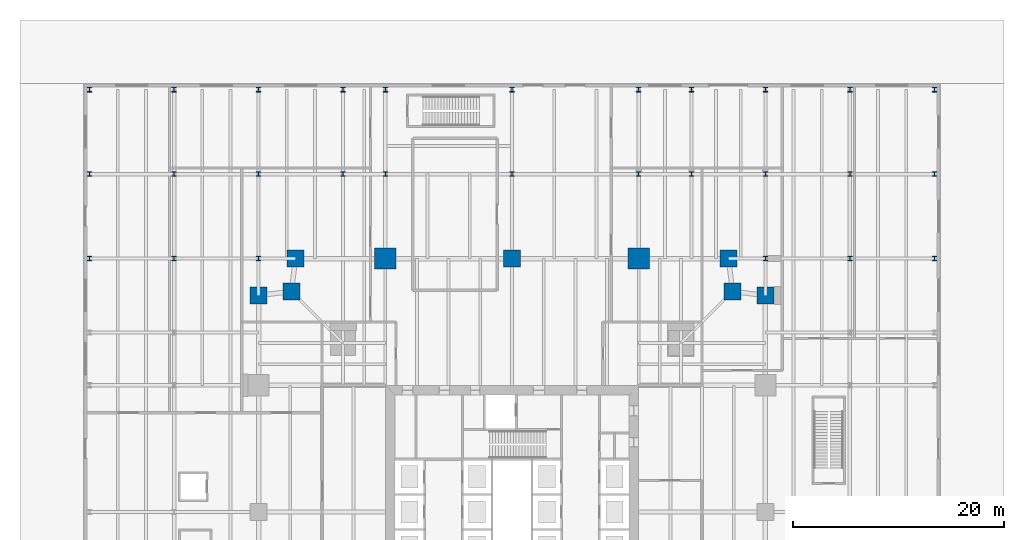
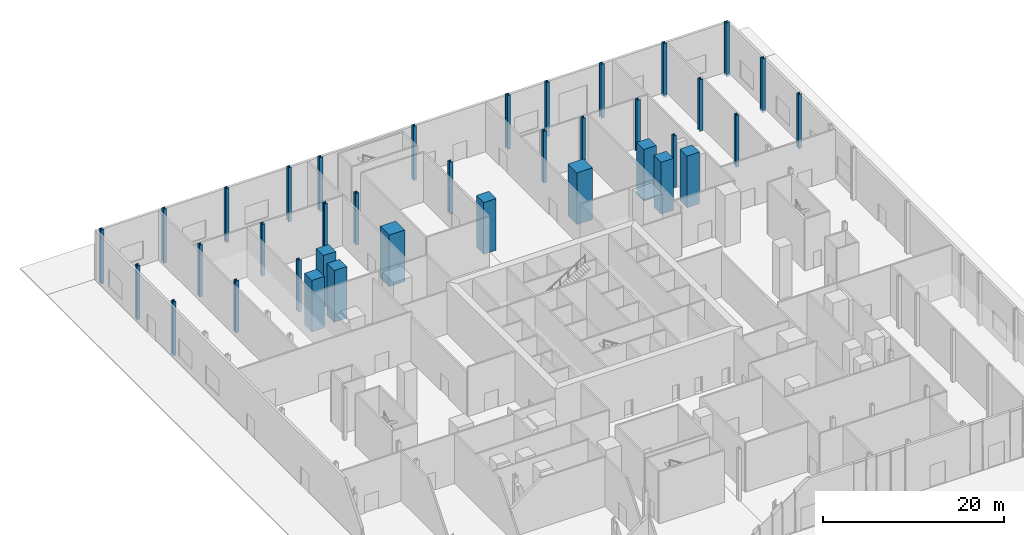
# One storey, part 3 of 20: 37 columns.
"""IFC4 building model written with IfcOpenShell, lengths in metres."""

from ifc_helpers import new_model, si_unit, direction, frame, origin, origin_2d, place, context, subcontext, project, spatial, rectangle, i_section, extrude, material, material_profile, profile_set, type_object, element, save


model = new_model("IFC4")

# Units and contexts
model_context = context("Model", 3, precision=1e-05, world=origin(), true_north=direction((0.0, 1.0)))
body_context = subcontext(model_context, "Body", "Model", "MODEL_VIEW")
ifc_project = project(units=[si_unit("LENGTHUNIT", "METRE"), si_unit("AREAUNIT", "SQUARE_METRE"), si_unit("VOLUMEUNIT", "CUBIC_METRE"), si_unit("PLANEANGLEUNIT", "RADIAN"), si_unit("MASSUNIT", "GRAM", prefix="KILO")], contexts=[model_context])

# Site, building, storey
site_placement = place(None, origin())
site = spatial("IfcSite", under=ifc_project, at=site_placement, CompositionType="ELEMENT")
building_placement = place(site_placement, origin())
building = spatial("IfcBuilding", under=site, at=building_placement, Name="Fenwick Lantern Interchange", CompositionType="ELEMENT")
storey_placement = place(building_placement, origin())
storey = spatial("IfcBuildingStorey", under=building, at=storey_placement, Name="L00", CompositionType="ELEMENT", Elevation=0.0)

# Columns
ifc_material_1 = material(Name="Concrete f'c 70 MPa", Category="concrete")
ifc_material_profile_1 = material_profile(ifc_material_1, rectangle(XDim=1.60009765625, YDim=1.60009765625, at=origin_2d()), Name="RC1600X1600")
ifc_profile_set_1 = profile_set([ifc_material_profile_1], Name="Concrete f'c 70 MPa")
column_type_1 = type_object("IfcColumnType", Name="PERIMETER COLUMN RC1600X1600", PredefinedType="COLUMN", material=ifc_profile_set_1)
for number, where, z_axis, x_axis, name in (
    (1, (49.0, 45.5, 0.0), (0.0, 0.0, 1.0), (1.0, 0.0, 0.0), "L00/CE5"),
    (2, (45.89990234375, 45.89990234375, 0.0), (0.0, 0.0, 1.0), (1.0, 0.0, 0.0), "L00/CER"),
    (3, (45.5, 49.0, 0.0), (0.0, 0.0, 1.0), (1.0, 0.0, 0.0), "L00/CN1"),
    (4, (25.0, 49.0, 0.0), (0.0, 0.0, 1.0), (1.0, 0.0, 0.0), "L00/CN3"),
    (5, (4.5, 49.0, 0.0), (0.0, 0.0, 1.0), (1.0, 0.0, 0.0), "L00/CN5"),
    (6, (4.10009765625, 45.89990234375, 0.0), (0.0, 0.0, 1.0), (1.0, 0.0, 0.0), "L00/CNR"),
    (7, (1.0, 45.5, 0.0), (0.0, 0.0, 1.0), (1.0, 0.0, 0.0), "L00/CW1"),
):
    element("IfcColumn", number, at=place(storey_placement, frame(where, z_axis=z_axis, x_axis=x_axis)), inside=storey, type_object=column_type_1, Name=name, PredefinedType="COLUMN", context=body_context, shape_type="SweptSolid", body=[
        extrude(rectangle(XDim=1.60009765625, YDim=1.60009765625, at=origin_2d()), origin(), (0.0, 0.0, 1.0), 7.0),
    ])
ifc_material_profile_2 = material_profile(ifc_material_1, rectangle(XDim=2.0, YDim=2.0, at=origin_2d()), Name="RC2000X2000")
ifc_profile_set_2 = profile_set([ifc_material_profile_2], Name="Concrete f'c 70 MPa")
column_type_2 = type_object("IfcColumnType", Name="PERIMETER COLUMN RC2000X2000", PredefinedType="COLUMN", material=ifc_profile_set_2)
for number, where, z_axis, x_axis, name in (
    (8, (37.0, 49.0, 0.0), (0.0, 0.0, 1.0), (1.0, 0.0, 0.0), "L00/CN2"),
    (9, (13.0, 49.0, 0.0), (0.0, 0.0, 1.0), (1.0, 0.0, 0.0), "L00/CN4"),
):
    element("IfcColumn", number, at=place(storey_placement, frame(where, z_axis=z_axis, x_axis=x_axis)), inside=storey, type_object=column_type_2, Name=name, PredefinedType="COLUMN", context=body_context, shape_type="SweptSolid", body=[
        extrude(rectangle(XDim=2.0, YDim=2.0, at=origin_2d()), origin(), (0.0, 0.0, 1.0), 7.0),
    ])
ifc_material_2 = material(Name="Steel ASTM A992 Grade 50", Category="steel")
ifc_material_profile_3 = material_profile(ifc_material_2, i_section(OverallWidth=0.41650390625, OverallDepth=0.444580078125, WebThickness=0.0390625, FlangeThickness=0.062744140625, at=origin_2d()), Name="W14X342")
ifc_profile_set_3 = profile_set([ifc_material_profile_3], Name="Steel ASTM A992 Grade 50")
column_type_3 = type_object("IfcColumnType", Name="PODIUM COLUMN W14X342", PredefinedType="COLUMN", material=ifc_profile_set_3)
for number, where, z_axis, x_axis, name in (
    (10, (-15.0, 49.0, -0.300048828125), (0.0, 0.0, 1.0), (1.0, 0.0, 0.0), "L00/PJ1"),
    (11, (-15.0, 57.0, -0.300048828125), (0.0, 0.0, 1.0), (1.0, 0.0, 0.0), "L00/PK1"),
    (12, (-15.0, 65.0, -0.300048828125), (0.0, 0.0, 1.0), (1.0, 0.0, 0.0), "L00/PL1"),
):
    element("IfcColumn", number, at=place(storey_placement, frame(where, z_axis=z_axis, x_axis=x_axis)), inside=storey, type_object=column_type_3, Name=name, PredefinedType="COLUMN", context=body_context, shape_type="SweptSolid", body=[
        extrude(i_section(OverallWidth=0.41650390625, OverallDepth=0.444580078125, WebThickness=0.0390625, FlangeThickness=0.062744140625, at=origin_2d()), origin(), (0.0, 0.0, 1.0), 7.300048828125),
    ])
for number, where, z_axis, x_axis, name in (
    (13, (-7.0, 49.0, 0.0), (0.0, 0.0, 1.0), (1.0, 0.0, 0.0), "L00/PJ2"),
    (14, (-7.0, 57.0, 0.0), (0.0, 0.0, 1.0), (1.0, 0.0, 0.0), "L00/PK2"),
):
    element("IfcColumn", number, at=place(storey_placement, frame(where, z_axis=z_axis, x_axis=x_axis)), inside=storey, type_object=column_type_3, Name=name, PredefinedType="COLUMN", context=body_context, shape_type="SweptSolid", body=[
        extrude(i_section(OverallWidth=0.41650390625, OverallDepth=0.444580078125, WebThickness=0.0390625, FlangeThickness=0.062744140625, at=origin_2d()), origin(), (0.0, 0.0, 1.0), 7.0),
    ])
column_1_placement = place(storey_placement, frame((-7.0, 65.0, -0.300048828125), z_axis=(0.0, 0.0, 1.0), x_axis=(1.0, 0.0, 0.0)))
element("IfcColumn", 15, at=column_1_placement, inside=storey, type_object=column_type_3, Name="L00/PL2", PredefinedType="COLUMN", context=body_context, shape_type="SweptSolid", body=[
    extrude(i_section(OverallWidth=0.41650390625, OverallDepth=0.444580078125, WebThickness=0.0390625, FlangeThickness=0.062744140625, at=origin_2d()), origin(), (0.0, 0.0, 1.0), 7.300048828125),
])
for number, where, z_axis, x_axis, name in (
    (16, (1.0, 49.0, 0.0), (0.0, 0.0, 1.0), (1.0, 0.0, 0.0), "L00/PJ3"),
    (17, (1.0, 57.0, 0.0), (0.0, 0.0, 1.0), (1.0, 0.0, 0.0), "L00/PK3"),
):
    element("IfcColumn", number, at=place(storey_placement, frame(where, z_axis=z_axis, x_axis=x_axis)), inside=storey, type_object=column_type_3, Name=name, PredefinedType="COLUMN", context=body_context, shape_type="SweptSolid", body=[
        extrude(i_section(OverallWidth=0.41650390625, OverallDepth=0.444580078125, WebThickness=0.0390625, FlangeThickness=0.062744140625, at=origin_2d()), origin(), (0.0, 0.0, 1.0), 7.0),
    ])
column_2_placement = place(storey_placement, frame((1.0, 65.0, -0.300048828125), z_axis=(0.0, 0.0, 1.0), x_axis=(1.0, 0.0, 0.0)))
element("IfcColumn", 18, at=column_2_placement, inside=storey, type_object=column_type_3, Name="L00/PL3", PredefinedType="COLUMN", context=body_context, shape_type="SweptSolid", body=[
    extrude(i_section(OverallWidth=0.41650390625, OverallDepth=0.444580078125, WebThickness=0.0390625, FlangeThickness=0.062744140625, at=origin_2d()), origin(), (0.0, 0.0, 1.0), 7.300048828125),
])
column_3_placement = place(storey_placement, frame((9.0, 57.0, 0.0), z_axis=(0.0, 0.0, 1.0), x_axis=(1.0, 0.0, 0.0)))
element("IfcColumn", 19, at=column_3_placement, inside=storey, type_object=column_type_3, Name="L00/PK4", PredefinedType="COLUMN", context=body_context, shape_type="SweptSolid", body=[
    extrude(i_section(OverallWidth=0.41650390625, OverallDepth=0.444580078125, WebThickness=0.0390625, FlangeThickness=0.062744140625, at=origin_2d()), origin(), (0.0, 0.0, 1.0), 7.0),
])
column_4_placement = place(storey_placement, frame((9.0, 65.0, -0.300048828125), z_axis=(0.0, 0.0, 1.0), x_axis=(1.0, 0.0, 0.0)))
element("IfcColumn", 20, at=column_4_placement, inside=storey, type_object=column_type_3, Name="L00/PL4", PredefinedType="COLUMN", context=body_context, shape_type="SweptSolid", body=[
    extrude(i_section(OverallWidth=0.41650390625, OverallDepth=0.444580078125, WebThickness=0.0390625, FlangeThickness=0.062744140625, at=origin_2d()), origin(), (0.0, 0.0, 1.0), 7.300048828125),
])
column_5_placement = place(storey_placement, frame((13.0, 57.0, 0.0), z_axis=(0.0, 0.0, 1.0), x_axis=(1.0, 0.0, 0.0)))
element("IfcColumn", 21, at=column_5_placement, inside=storey, type_object=column_type_3, Name="L00/PK5", PredefinedType="COLUMN", context=body_context, shape_type="SweptSolid", body=[
    extrude(i_section(OverallWidth=0.41650390625, OverallDepth=0.444580078125, WebThickness=0.0390625, FlangeThickness=0.062744140625, at=origin_2d()), origin(), (0.0, 0.0, 1.0), 7.0),
])
column_6_placement = place(storey_placement, frame((13.0, 65.0, -0.300048828125), z_axis=(0.0, 0.0, 1.0), x_axis=(1.0, 0.0, 0.0)))
element("IfcColumn", 22, at=column_6_placement, inside=storey, type_object=column_type_3, Name="L00/PL5", PredefinedType="COLUMN", context=body_context, shape_type="SweptSolid", body=[
    extrude(i_section(OverallWidth=0.41650390625, OverallDepth=0.444580078125, WebThickness=0.0390625, FlangeThickness=0.062744140625, at=origin_2d()), origin(), (0.0, 0.0, 1.0), 7.300048828125),
])
column_7_placement = place(storey_placement, frame((25.0, 57.0, 0.0), z_axis=(0.0, 0.0, 1.0), x_axis=(1.0, 0.0, 0.0)))
element("IfcColumn", 23, at=column_7_placement, inside=storey, type_object=column_type_3, Name="L00/PK6", PredefinedType="COLUMN", context=body_context, shape_type="SweptSolid", body=[
    extrude(i_section(OverallWidth=0.41650390625, OverallDepth=0.444580078125, WebThickness=0.0390625, FlangeThickness=0.062744140625, at=origin_2d()), origin(), (0.0, 0.0, 1.0), 7.0),
])
column_8_placement = place(storey_placement, frame((25.0, 65.0, -0.300048828125), z_axis=(0.0, 0.0, 1.0), x_axis=(1.0, 0.0, 0.0)))
element("IfcColumn", 24, at=column_8_placement, inside=storey, type_object=column_type_3, Name="L00/PL6", PredefinedType="COLUMN", context=body_context, shape_type="SweptSolid", body=[
    extrude(i_section(OverallWidth=0.41650390625, OverallDepth=0.444580078125, WebThickness=0.0390625, FlangeThickness=0.062744140625, at=origin_2d()), origin(), (0.0, 0.0, 1.0), 7.300048828125),
])
column_9_placement = place(storey_placement, frame((37.0, 57.0, 0.0), z_axis=(0.0, 0.0, 1.0), x_axis=(1.0, 0.0, 0.0)))
element("IfcColumn", 25, at=column_9_placement, inside=storey, type_object=column_type_3, Name="L00/PK7", PredefinedType="COLUMN", context=body_context, shape_type="SweptSolid", body=[
    extrude(i_section(OverallWidth=0.41650390625, OverallDepth=0.444580078125, WebThickness=0.0390625, FlangeThickness=0.062744140625, at=origin_2d()), origin(), (0.0, 0.0, 1.0), 7.0),
])
column_10_placement = place(storey_placement, frame((37.0, 65.0, -0.300048828125), z_axis=(0.0, 0.0, 1.0), x_axis=(1.0, 0.0, 0.0)))
element("IfcColumn", 26, at=column_10_placement, inside=storey, type_object=column_type_3, Name="L00/PL7", PredefinedType="COLUMN", context=body_context, shape_type="SweptSolid", body=[
    extrude(i_section(OverallWidth=0.41650390625, OverallDepth=0.444580078125, WebThickness=0.0390625, FlangeThickness=0.062744140625, at=origin_2d()), origin(), (0.0, 0.0, 1.0), 7.300048828125),
])
column_11_placement = place(storey_placement, frame((42.0, 57.0, 0.0), z_axis=(0.0, 0.0, 1.0), x_axis=(1.0, 0.0, 0.0)))
element("IfcColumn", 27, at=column_11_placement, inside=storey, type_object=column_type_3, Name="L00/PK8", PredefinedType="COLUMN", context=body_context, shape_type="SweptSolid", body=[
    extrude(i_section(OverallWidth=0.41650390625, OverallDepth=0.444580078125, WebThickness=0.0390625, FlangeThickness=0.062744140625, at=origin_2d()), origin(), (0.0, 0.0, 1.0), 7.0),
])
column_12_placement = place(storey_placement, frame((42.0, 65.0, -0.300048828125), z_axis=(0.0, 0.0, 1.0), x_axis=(1.0, 0.0, 0.0)))
element("IfcColumn", 28, at=column_12_placement, inside=storey, type_object=column_type_3, Name="L00/PL8", PredefinedType="COLUMN", context=body_context, shape_type="SweptSolid", body=[
    extrude(i_section(OverallWidth=0.41650390625, OverallDepth=0.444580078125, WebThickness=0.0390625, FlangeThickness=0.062744140625, at=origin_2d()), origin(), (0.0, 0.0, 1.0), 7.300048828125),
])
for number, where, z_axis, x_axis, name in (
    (29, (49.0, 49.0, 0.0), (0.0, 0.0, 1.0), (1.0, 0.0, 0.0), "L00/PJ9"),
    (30, (49.0, 57.0, 0.0), (0.0, 0.0, 1.0), (1.0, 0.0, 0.0), "L00/PK9"),
):
    element("IfcColumn", number, at=place(storey_placement, frame(where, z_axis=z_axis, x_axis=x_axis)), inside=storey, type_object=column_type_3, Name=name, PredefinedType="COLUMN", context=body_context, shape_type="SweptSolid", body=[
        extrude(i_section(OverallWidth=0.41650390625, OverallDepth=0.444580078125, WebThickness=0.0390625, FlangeThickness=0.062744140625, at=origin_2d()), origin(), (0.0, 0.0, 1.0), 7.0),
    ])
column_13_placement = place(storey_placement, frame((49.0, 65.0, -0.300048828125), z_axis=(0.0, 0.0, 1.0), x_axis=(1.0, 0.0, 0.0)))
element("IfcColumn", 31, at=column_13_placement, inside=storey, type_object=column_type_3, Name="L00/PL9", PredefinedType="COLUMN", context=body_context, shape_type="SweptSolid", body=[
    extrude(i_section(OverallWidth=0.41650390625, OverallDepth=0.444580078125, WebThickness=0.0390625, FlangeThickness=0.062744140625, at=origin_2d()), origin(), (0.0, 0.0, 1.0), 7.300048828125),
])
for number, where, z_axis, x_axis, name in (
    (32, (57.0, 49.0, 0.0), (0.0, 0.0, 1.0), (1.0, 0.0, 0.0), "L00/PJ10"),
    (33, (57.0, 57.0, 0.0), (0.0, 0.0, 1.0), (1.0, 0.0, 0.0), "L00/PK10"),
):
    element("IfcColumn", number, at=place(storey_placement, frame(where, z_axis=z_axis, x_axis=x_axis)), inside=storey, type_object=column_type_3, Name=name, PredefinedType="COLUMN", context=body_context, shape_type="SweptSolid", body=[
        extrude(i_section(OverallWidth=0.41650390625, OverallDepth=0.444580078125, WebThickness=0.0390625, FlangeThickness=0.062744140625, at=origin_2d()), origin(), (0.0, 0.0, 1.0), 7.0),
    ])
for number, where, z_axis, x_axis, name in (
    (34, (57.0, 65.0, -0.300048828125), (0.0, 0.0, 1.0), (1.0, 0.0, 0.0), "L00/PL10"),
    (35, (65.0, 49.0, -0.300048828125), (0.0, 0.0, 1.0), (1.0, 0.0, 0.0), "L00/PJ11"),
    (36, (65.0, 57.0, -0.300048828125), (0.0, 0.0, 1.0), (1.0, 0.0, 0.0), "L00/PK11"),
    (37, (65.0, 65.0, -0.300048828125), (0.0, 0.0, 1.0), (1.0, 0.0, 0.0), "L00/PL11"),
):
    element("IfcColumn", number, at=place(storey_placement, frame(where, z_axis=z_axis, x_axis=x_axis)), inside=storey, type_object=column_type_3, Name=name, PredefinedType="COLUMN", context=body_context, shape_type="SweptSolid", body=[
        extrude(i_section(OverallWidth=0.41650390625, OverallDepth=0.444580078125, WebThickness=0.0390625, FlangeThickness=0.062744140625, at=origin_2d()), origin(), (0.0, 0.0, 1.0), 7.300048828125),
    ])

save(model, "model.ifc")
